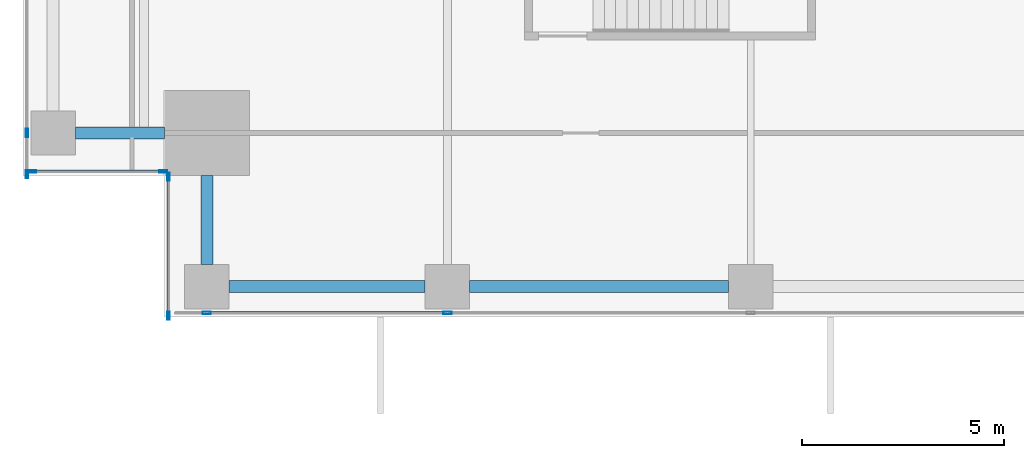
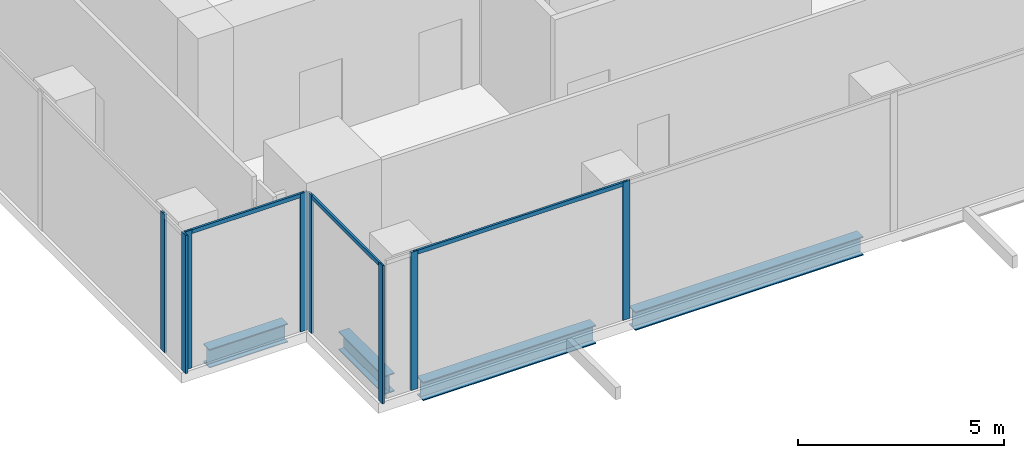
# One storey, part 2 of 35: 11 members, 4 beams, 4 elements without a shape of their own.
"""IFC4 building model written with IfcOpenShell, lengths in metres."""

from ifc_helpers import new_model, si_unit, direction, frame, origin, origin_2d, place, context, subcontext, project, spatial, hollow_rectangle, i_section, extrude, source, transform, mapped, material, material_profile, profile_set, type_object, element, aggregate, save


model = new_model("IFC4")

# Units and contexts
model_context = context("Model", 3, precision=1e-05, world=origin(), true_north=direction((0.0, 1.0)))
body_context = subcontext(model_context, "Body", "Model", "MODEL_VIEW")
ifc_project = project(units=[si_unit("LENGTHUNIT", "METRE"), si_unit("AREAUNIT", "SQUARE_METRE"), si_unit("VOLUMEUNIT", "CUBIC_METRE"), si_unit("PLANEANGLEUNIT", "RADIAN"), si_unit("MASSUNIT", "GRAM", prefix="KILO")], contexts=[model_context])

# Site, building, storey
site_placement = place(None, origin())
site = spatial("IfcSite", under=ifc_project, at=site_placement, CompositionType="ELEMENT")
building_placement = place(site_placement, origin())
building = spatial("IfcBuilding", under=site, at=building_placement, Name="Khomas Fold Tower", CompositionType="ELEMENT")
storey_placement = place(building_placement, frame((0.0, 0.0, 132.300048828125)))
storey = spatial("IfcBuildingStorey", under=building, at=storey_placement, Name="L28", CompositionType="ELEMENT", Elevation=132.300048828125)

# Beams
ifc_material_1 = material(Name="Steel S355", Category="steel")
ifc_material_profile_1 = material_profile(ifc_material_1, i_section(OverallWidth=0.300048828125, OverallDepth=0.550048828125, WebThickness=0.014892578125, FlangeThickness=0.029052734375, at=origin_2d()), Name="HE 550 B")
ifc_profile_set_1 = profile_set([ifc_material_profile_1], Name="Steel S355")
beam_type = type_object("IfcBeamType", Name="HE 550 B spandrel SB2", PredefinedType="SPANDREL", material=ifc_profile_set_1)
shared_shape_1 = source(origin(), body_context, "Body", "SweptSolid", [
    extrude(i_section(OverallWidth=0.300048828125, OverallDepth=0.550048828125, WebThickness=0.014892578125, FlangeThickness=0.029052734375, at=origin_2d()), origin(), (0.0, 0.0, 1.0), 4.849853515625),
])
beam_1_placement = place(storey_placement, frame((6.60009765625, 2.25, -0.574951171875), z_axis=(1.0, 0.0, 0.0), x_axis=(0.0, 1.0, 0.0)))
element("IfcBeam", 1, at=beam_1_placement, inside=storey, type_object=beam_type, Name="SB2", PredefinedType="SPANDREL", context=body_context, shape_type="MappedRepresentation", body=[
    mapped(shared_shape_1, transform((0.0, 0.0, 0.0))),
])
shared_shape_2 = source(origin(), body_context, "Body", "SweptSolid", [
    extrude(i_section(OverallWidth=0.300048828125, OverallDepth=0.550048828125, WebThickness=0.014892578125, FlangeThickness=0.029052734375, at=origin_2d()), origin(), (0.0, 0.0, 1.0), 6.39990234375),
])
beam_2_placement = place(storey_placement, frame((12.550048828125, 2.25, -0.574951171875), z_axis=(1.0, 0.0, 0.0), x_axis=(0.0, 1.0, 0.0)))
element("IfcBeam", 2, at=beam_2_placement, inside=storey, type_object=beam_type, Name="SB2", PredefinedType="SPANDREL", context=body_context, shape_type="MappedRepresentation", body=[
    mapped(shared_shape_2, transform((0.0, 0.0, 0.0))),
])
shared_shape_3 = source(origin(), body_context, "Body", "SweptSolid", [
    extrude(i_section(OverallWidth=0.300048828125, OverallDepth=0.550048828125, WebThickness=0.014892578125, FlangeThickness=0.029052734375, at=origin_2d()), origin(), (0.0, 0.0, 1.0), 2.199951171875),
])
for number, where, z_axis, x_axis, name in (
    (3, (2.800048828125, 6.050048828125, -0.574951171875), (1.0, 0.0, 0.0), (0.0, 1.0, 0.0), "SB2"),
    (4, (6.050048828125, 2.800048828125, -0.574951171875), (0.0, 1.0, 0.0), (-1.0, 0.0, 0.0), "SB2"),
):
    element("IfcBeam", number, at=place(storey_placement, frame(where, z_axis=z_axis, x_axis=x_axis)), inside=storey, type_object=beam_type, Name=name, PredefinedType="SPANDREL", context=body_context, shape_type="MappedRepresentation", body=[
        mapped(shared_shape_3, transform((0.0, 0.0, 0.0))),
    ])

# Curtain wall, member
ifc_material_2 = material(Name="Aluminium framed double glazing", Category="aluminium")
curtain_wall_type = type_object("IfcCurtainWallType", Name="SK-Unitised clear-glass wall, growing floors CW1", PredefinedType="NOTDEFINED", material=ifc_material_2)
curtain_wall_1_placement = place(storey_placement, origin())
curtain_wall_1 = element("IfcCurtainWall", 5, at=curtain_wall_1_placement, inside=storey, type_object=curtain_wall_type, Name="CW1 run L28 00-0", PredefinedType="NOTDEFINED")
ifc_material_3 = material(Name="Aluminium", Category="aluminium")
ifc_material_profile_2 = material_profile(ifc_material_3, hollow_rectangle(XDim=0.06005859375, YDim=0.1201171875, WallThickness=0.00390625, at=origin_2d()), Name="SK-Unitised clear-glass wall, growing floors transom CW1-T")
ifc_profile_set_2 = profile_set([ifc_material_profile_2], Name="Aluminium")
member_type_1 = type_object("IfcMemberType", Name="SK-Unitised clear-glass wall, growing floors transom CW1-T", PredefinedType="USERDEFINED", material=ifc_profile_set_2)
shared_shape_4 = source(origin(), body_context, "Body", "SweptSolid", [
    extrude(hollow_rectangle(XDim=0.06005859375, YDim=0.1201171875, WallThickness=0.00390625, at=origin_2d()), origin(), (0.0, 0.0, 1.0), 5.889892578125),
])
member_1_placement = place(storey_placement, frame((6.080078125, 1.60009765625, 4.0400390625), z_axis=(1.0, 0.0, 0.0), x_axis=(0.0, 1.0, 0.0)))
member_1 = element("IfcMember", 6, at=member_1_placement, type_object=member_type_1, Name="CW1 transom 2", ObjectType="TRANSOM", PredefinedType="USERDEFINED", context=body_context, shape_type="MappedRepresentation", body=[
    mapped(shared_shape_4, transform((0.0, 0.0, 0.0))),
])

curtain_wall_2_placement = place(storey_placement, origin())
curtain_wall_2 = element("IfcCurtainWall", 7, at=curtain_wall_2_placement, inside=storey, type_object=curtain_wall_type, Name="CW1 corner return L28 10", PredefinedType="NOTDEFINED")
shared_shape_5 = source(origin(), body_context, "Body", "SweptSolid", [
    extrude(hollow_rectangle(XDim=0.06005859375, YDim=0.1201171875, WallThickness=0.00390625, at=origin_2d()), origin(), (0.0, 0.0, 1.0), 3.179931640625),
])
member_2_placement = place(storey_placement, frame((1.760009765625, 5.10009765625, 4.0400390625), z_axis=(1.0, 0.0, 0.0), x_axis=(0.0, 1.0, 0.0)))
member_2 = element("IfcMember", 8, at=member_2_placement, type_object=member_type_1, Name="CW1 transom 1", ObjectType="TRANSOM", PredefinedType="USERDEFINED", context=body_context, shape_type="MappedRepresentation", body=[
    mapped(shared_shape_5, transform((0.0, 0.0, 0.0))),
])

curtain_wall_3_placement = place(storey_placement, origin())
curtain_wall_3 = element("IfcCurtainWall", 9, at=curtain_wall_3_placement, inside=storey, type_object=curtain_wall_type, Name="CW1 corner return L28 11", PredefinedType="NOTDEFINED")
shared_shape_6 = source(origin(), body_context, "Body", "SweptSolid", [
    extrude(hollow_rectangle(XDim=0.06005859375, YDim=0.1201171875, WallThickness=0.00390625, at=origin_2d()), origin(), (0.0, 0.0, 1.0), 3.3798828125),
])
member_3_placement = place(storey_placement, frame((5.10009765625, 4.93994140625, 4.0400390625), z_axis=(0.0, -1.0, 0.0), x_axis=(1.0, 0.0, 0.0)))
member_3 = element("IfcMember", 10, at=member_3_placement, type_object=member_type_1, Name="CW1 transom 1", ObjectType="TRANSOM", PredefinedType="USERDEFINED", context=body_context, shape_type="MappedRepresentation", body=[
    mapped(shared_shape_6, transform((0.0, 0.0, 0.0))),
])

# Member
ifc_material_4 = material(Name="Aluminium", Category="aluminium")
ifc_material_profile_3 = material_profile(ifc_material_4, hollow_rectangle(XDim=0.06005859375, YDim=0.199951171875, WallThickness=0.00390625, at=origin_2d()), Name="SK-Unitised clear-glass wall, growing floors mullion CW1-M")
ifc_profile_set_3 = profile_set([ifc_material_profile_3], Name="Aluminium")
member_type_2 = type_object("IfcMemberType", Name="SK-Unitised clear-glass wall, growing floors mullion CW1-M", PredefinedType="MULLION", material=ifc_profile_set_3)
shared_shape_7 = source(origin(), body_context, "Body", "SweptSolid", [
    extrude(hollow_rectangle(XDim=0.06005859375, YDim=0.199951171875, WallThickness=0.00390625, at=origin_2d()), origin(), (0.0, 0.0, 1.0), 4.099853515625),
])
member_4_placement = place(storey_placement, frame((6.050048828125, 1.60009765625, 0.0), z_axis=(0.0, 0.0, 1.0), x_axis=(0.0, 1.0, 0.0)))
member_4 = element("IfcMember", 11, at=member_4_placement, type_object=member_type_2, Name="CW1 mullion 2", PredefinedType="MULLION", context=body_context, shape_type="MappedRepresentation", body=[
    mapped(shared_shape_7, transform((0.0, 0.0, 0.0))),
])

member_5_placement = place(storey_placement, frame((12.0, 1.60009765625, 0.0), z_axis=(0.0, 0.0, 1.0), x_axis=(0.0, 1.0, 0.0)))
member_5 = element("IfcMember", 12, at=member_5_placement, type_object=member_type_2, Name="CW1 mullion 3", PredefinedType="MULLION", context=body_context, shape_type="MappedRepresentation", body=[
    mapped(shared_shape_7, transform((0.0, 0.0, 0.0))),
])

aggregate(curtain_wall_1, [member_4, member_5, member_1])

# Curtain wall, members
curtain_wall_4_placement = place(storey_placement, origin())
curtain_wall_4 = element("IfcCurtainWall", 13, at=curtain_wall_4_placement, inside=storey, type_object=curtain_wall_type, Name="CW1 run L28 09-1", PredefinedType="NOTDEFINED")
member_6_placement = place(storey_placement, frame((1.60009765625, 6.050048828125, 0.0), z_axis=(0.0, 0.0, 1.0), x_axis=(1.0, 0.0, 0.0)))
member_6 = element("IfcMember", 14, at=member_6_placement, type_object=member_type_2, Name="CW1 mullion 5", PredefinedType="MULLION", context=body_context, shape_type="MappedRepresentation", body=[
    mapped(shared_shape_7, transform((0.0, 0.0, 0.0))),
])
member_7_placement = place(storey_placement, frame((1.60009765625, 5.030029296875, 0.0), z_axis=(0.0, 0.0, 1.0), x_axis=(1.0, 0.0, 0.0)))
member_7 = element("IfcMember", 15, at=member_7_placement, type_object=member_type_2, Name="CW1 mullion 6", PredefinedType="MULLION", context=body_context, shape_type="MappedRepresentation", body=[
    mapped(shared_shape_7, transform((0.0, 0.0, 0.0))),
])
aggregate(curtain_wall_4, [member_6, member_7])

# Member
member_8_placement = place(storey_placement, frame((1.72998046875, 5.10009765625, 0.0), z_axis=(0.0, 0.0, 1.0), x_axis=(0.0, 1.0, 0.0)))
member_8 = element("IfcMember", 16, at=member_8_placement, type_object=member_type_2, Name="CW1 mullion 1", PredefinedType="MULLION", context=body_context, shape_type="MappedRepresentation", body=[
    mapped(shared_shape_7, transform((0.0, 0.0, 0.0))),
])

member_9_placement = place(storey_placement, frame((4.969970703125, 5.10009765625, 0.0), z_axis=(0.0, 0.0, 1.0), x_axis=(0.0, 1.0, 0.0)))
member_9 = element("IfcMember", 17, at=member_9_placement, type_object=member_type_2, Name="CW1 mullion 2", PredefinedType="MULLION", context=body_context, shape_type="MappedRepresentation", body=[
    mapped(shared_shape_7, transform((0.0, 0.0, 0.0))),
])

aggregate(curtain_wall_2, [member_8, member_9, member_2])

member_10_placement = place(storey_placement, frame((5.10009765625, 4.969970703125, 0.0), z_axis=(0.0, 0.0, 1.0), x_axis=(1.0, 0.0, 0.0)))
member_10 = element("IfcMember", 18, at=member_10_placement, type_object=member_type_2, Name="CW1 mullion 1", PredefinedType="MULLION", context=body_context, shape_type="MappedRepresentation", body=[
    mapped(shared_shape_7, transform((0.0, 0.0, 0.0))),
])

member_11_placement = place(storey_placement, frame((5.10009765625, 1.530029296875, 0.0), z_axis=(0.0, 0.0, 1.0), x_axis=(1.0, 0.0, 0.0)))
member_11 = element("IfcMember", 19, at=member_11_placement, type_object=member_type_2, Name="CW1 mullion 2", PredefinedType="MULLION", context=body_context, shape_type="MappedRepresentation", body=[
    mapped(shared_shape_7, transform((0.0, 0.0, 0.0))),
])

aggregate(curtain_wall_3, [member_10, member_11, member_3])

save(model, "model.ifc")
